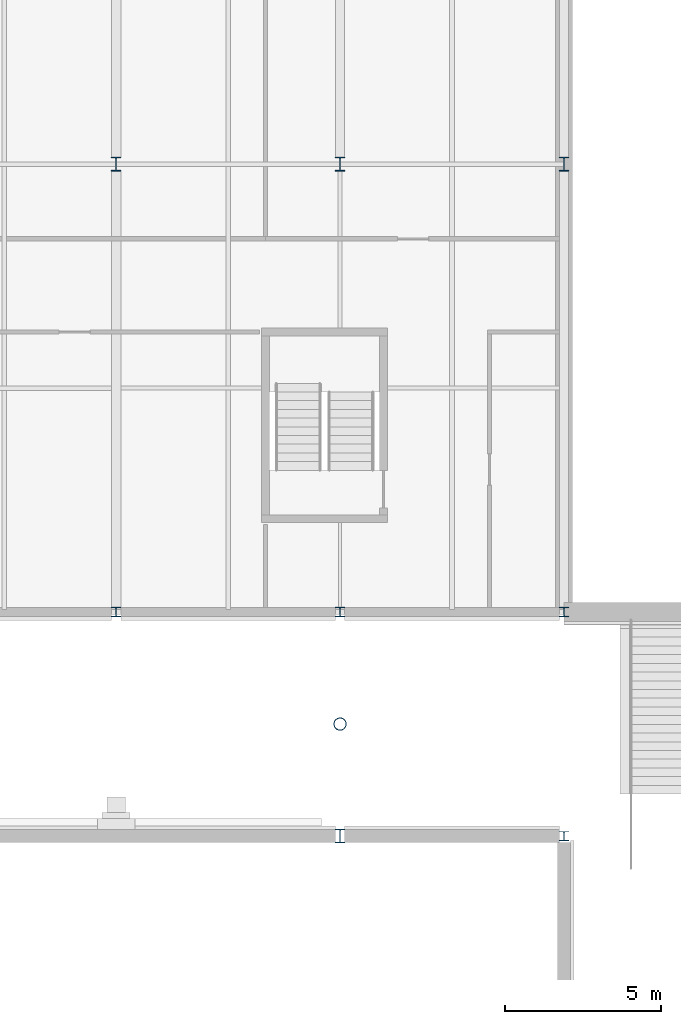
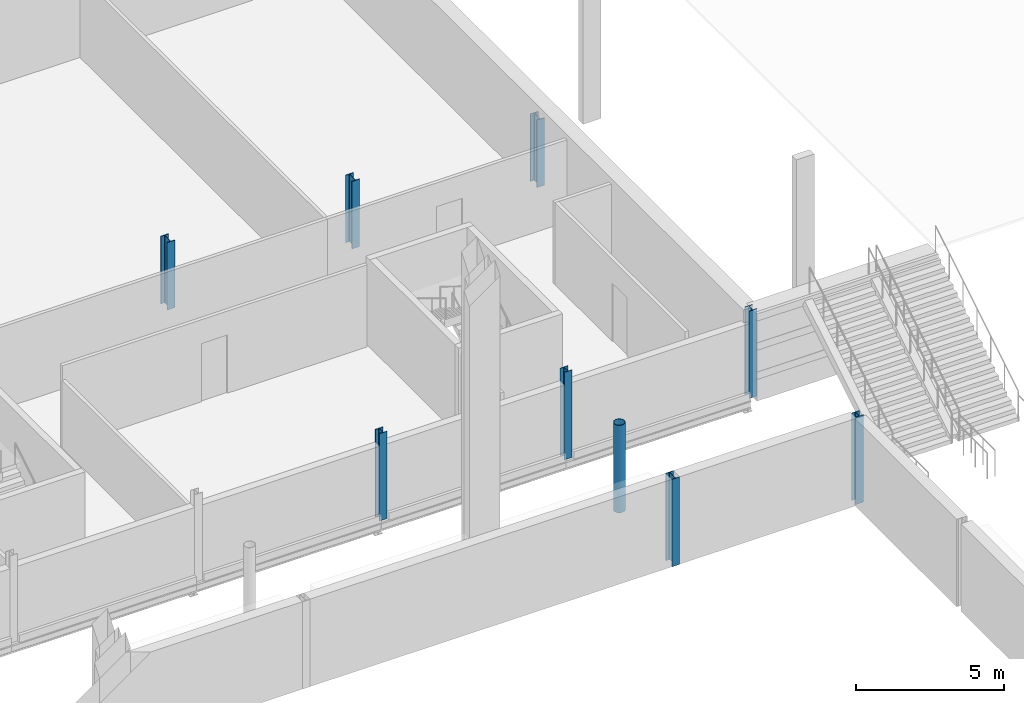
# One storey, part 21 of 90: 9 columns.
"""IFC4 building model written with IfcOpenShell, lengths in metres."""

from ifc_helpers import new_model, si_unit, direction, frame, origin, origin_2d, place, context, subcontext, project, spatial, hollow_circle, i_section, extrude, material, material_profile, profile_set, type_object, element, save


model = new_model("IFC4")

# Units and contexts
model_context = context("Model", 3, precision=1e-05, world=origin(), true_north=direction((0.0, 1.0)))
body_context = subcontext(model_context, "Body", "Model", "MODEL_VIEW")
ifc_project = project(units=[si_unit("LENGTHUNIT", "METRE"), si_unit("AREAUNIT", "SQUARE_METRE"), si_unit("VOLUMEUNIT", "CUBIC_METRE"), si_unit("PLANEANGLEUNIT", "RADIAN"), si_unit("MASSUNIT", "GRAM", prefix="KILO")], contexts=[model_context])

# Site, building, storey
site_placement = place(None, origin())
site = spatial("IfcSite", under=ifc_project, at=site_placement, CompositionType="ELEMENT")
building_placement = place(site_placement, origin())
building = spatial("IfcBuilding", under=site, at=building_placement, Name="Kupolbacken Congress Centre", CompositionType="ELEMENT")
storey_placement = place(building_placement, frame((0.0, 0.0, 3.60009765625)))
storey = spatial("IfcBuildingStorey", under=building, at=storey_placement, Name="L01", CompositionType="ELEMENT", Elevation=3.60009765625)

# Columns
ifc_material_1 = material(Name="Steel S355", Category="steel")
ifc_material_profile_1 = material_profile(ifc_material_1, i_section(OverallWidth=0.300048828125, OverallDepth=0.449951171875, WebThickness=0.013916015625, FlangeThickness=0.02587890625, FilletRadius=0.027099609375, at=origin_2d()), Name="HEB 450")
ifc_profile_set_1 = profile_set([ifc_material_profile_1], Name="Steel S355")
column_type_1 = type_object("IfcColumnType", Name="C03 column HEB 450", PredefinedType="COLUMN", material=ifc_profile_set_1)
for number, where, z_axis, x_axis, name in (
    (1, (187.199951171875, 136.800048828125, 0.0), (0.0, 0.0, 1.0), (1.0, 0.0, 0.0), "S/col/C-B-M5/L01"),
    (2, (194.39990234375, 136.800048828125, 0.0), (0.0, 0.0, 1.0), (1.0, 0.0, 0.0), "S/col/C-B-M6/L01"),
    (3, (201.60009765625, 136.800048828125, 0.0), (0.0, 0.0, 1.0), (1.0, 0.0, 0.0), "S/col/C-B-M7/L01"),
):
    element("IfcColumn", number, at=place(storey_placement, frame(where, z_axis=z_axis, x_axis=x_axis)), inside=storey, type_object=column_type_1, Name=name, PredefinedType="COLUMN", context=body_context, shape_type="SweptSolid", body=[
        extrude(i_section(OverallWidth=0.300048828125, OverallDepth=0.449951171875, WebThickness=0.013916015625, FlangeThickness=0.02587890625, FilletRadius=0.027099609375, at=origin_2d()), origin(), (0.0, 0.0, 1.0), 2.77978515625),
    ])
ifc_material_2 = material(Name="Steel S355", Category="steel")
ifc_material_profile_2 = material_profile(ifc_material_2, i_section(OverallWidth=0.300048828125, OverallDepth=0.300048828125, WebThickness=0.010986328125, FlangeThickness=0.01904296875, FilletRadius=0.027099609375, at=origin_2d()), Name="HEB 300")
ifc_profile_set_2 = profile_set([ifc_material_profile_2], Name="Steel S355")
column_type_2 = type_object("IfcColumnType", Name="C06 column HEB 300", PredefinedType="COLUMN", material=ifc_profile_set_2)
for number, where, z_axis, x_axis, name in (
    (4, (187.199951171875, 122.39990234375, 0.0), (0.0, 0.0, 1.0), (1.0, 0.0, 0.0), "S/col/C-B-B6S/L01"),
    (5, (194.39990234375, 122.39990234375, 0.0), (0.0, 0.0, 1.0), (1.0, 0.0, 0.0), "S/col/C-B-B7S/L01"),
    (6, (201.60009765625, 122.39990234375, 0.0), (0.0, 0.0, 1.0), (1.0, 0.0, 0.0), "S/col/C-B-B8S/L01"),
):
    element("IfcColumn", number, at=place(storey_placement, frame(where, z_axis=z_axis, x_axis=x_axis)), inside=storey, type_object=column_type_2, Name=name, PredefinedType="COLUMN", context=body_context, shape_type="SweptSolid", body=[
        extrude(i_section(OverallWidth=0.300048828125, OverallDepth=0.300048828125, WebThickness=0.010986328125, FlangeThickness=0.01904296875, FilletRadius=0.027099609375, at=origin_2d()), origin(), (0.0, 0.0, 1.0), 3.599853515625),
    ])
ifc_material_3 = material(Name="Steel S355", Category="steel")
ifc_material_profile_3 = material_profile(ifc_material_3, i_section(OverallWidth=0.300048828125, OverallDepth=0.43994140625, WebThickness=0.011474609375, FlangeThickness=0.02099609375, FilletRadius=0.027099609375, at=origin_2d()), Name="HEA 450")
ifc_profile_set_3 = profile_set([ifc_material_profile_3], Name="Steel S355")
column_type_3 = type_object("IfcColumnType", Name="C07 column HEA 450", PredefinedType="COLUMN", material=ifc_profile_set_3)
column_1_placement = place(storey_placement, frame((194.39990234375, 115.199951171875, 0.0), z_axis=(0.0, 0.0, 1.0), x_axis=(1.0, 0.0, 0.0)))
element("IfcColumn", 7, at=column_1_placement, inside=storey, type_object=column_type_3, Name="S/col/C-H-T8N/L01", PredefinedType="COLUMN", context=body_context, shape_type="SweptSolid", body=[
    extrude(i_section(OverallWidth=0.300048828125, OverallDepth=0.43994140625, WebThickness=0.011474609375, FlangeThickness=0.02099609375, FilletRadius=0.027099609375, at=origin_2d()), origin(), (0.0, 0.0, 1.0), 3.599853515625),
])
ifc_material_4 = material(Name="Steel S355", Category="steel")
ifc_material_profile_4 = material_profile(ifc_material_4, i_section(OverallWidth=0.300048828125, OverallDepth=0.2900390625, WebThickness=0.008544921875, FlangeThickness=0.013916015625, FilletRadius=0.027099609375, at=origin_2d()), Name="HEA 300")
ifc_profile_set_4 = profile_set([ifc_material_profile_4], Name="Steel S355")
column_type_4 = type_object("IfcColumnType", Name="C09 column HEA 300", PredefinedType="COLUMN", material=ifc_profile_set_4)
column_2_placement = place(storey_placement, frame((201.60009765625, 115.199951171875, 0.0), z_axis=(0.0, 0.0, 1.0), x_axis=(1.0, 0.0, 0.0)))
element("IfcColumn", 8, at=column_2_placement, inside=storey, type_object=column_type_4, Name="S/col/C-H-PE11/L01", PredefinedType="COLUMN", context=body_context, shape_type="SweptSolid", body=[
    extrude(i_section(OverallWidth=0.300048828125, OverallDepth=0.2900390625, WebThickness=0.008544921875, FlangeThickness=0.013916015625, FilletRadius=0.027099609375, at=origin_2d()), origin(), (0.0, 0.0, 1.0), 3.599853515625),
])
ifc_material_5 = material(Name="Steel S355", Category="steel")
ifc_material_profile_5 = material_profile(ifc_material_5, hollow_circle(Radius=0.203125, WallThickness=0.01611328125, at=origin_2d()), Name="CHS 406.4 x 16")
ifc_profile_set_5 = profile_set([ifc_material_profile_5], Name="Steel S355")
column_type_5 = type_object("IfcColumnType", Name="C15 roof mast CHS 406.4 x 16", PredefinedType="COLUMN", material=ifc_profile_set_5)
column_3_placement = place(storey_placement, frame((194.39990234375, 118.800048828125, 0.0), z_axis=(0.0, 0.0, 1.0), x_axis=(1.0, 0.0, 0.0)))
element("IfcColumn", 9, at=column_3_placement, inside=storey, type_object=column_type_5, Name="Roof mast M8N", PredefinedType="COLUMN", context=body_context, shape_type="SweptSolid", body=[
    extrude(hollow_circle(Radius=0.203125, WallThickness=0.01611328125, at=origin_2d()), origin(), (0.0, 0.0, 1.0), 3.599853515625),
])

save(model, "model.ifc")
